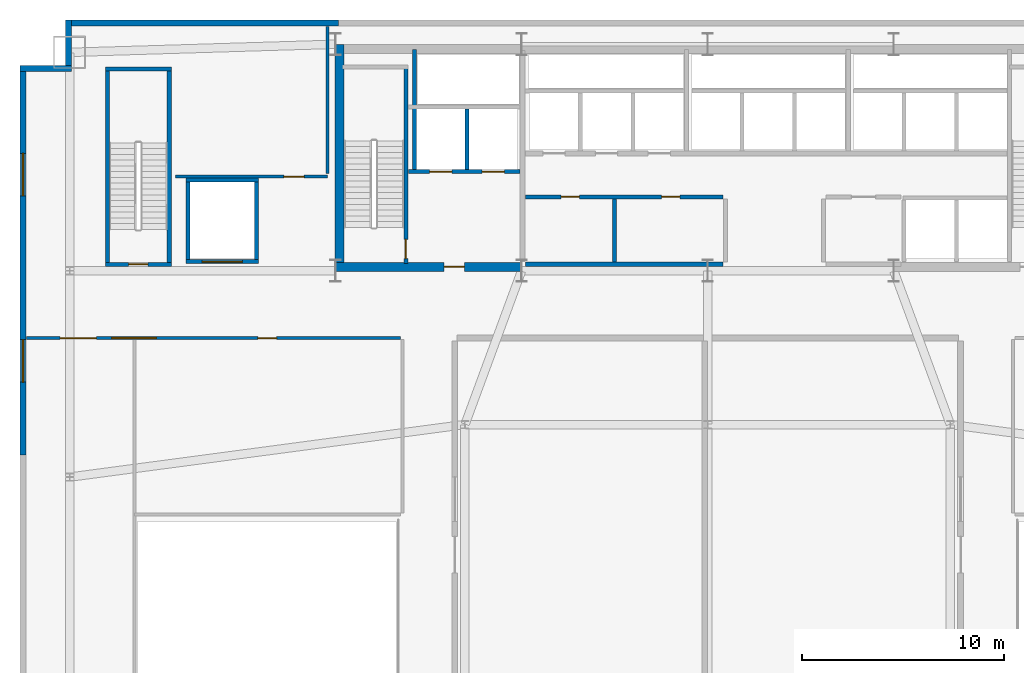
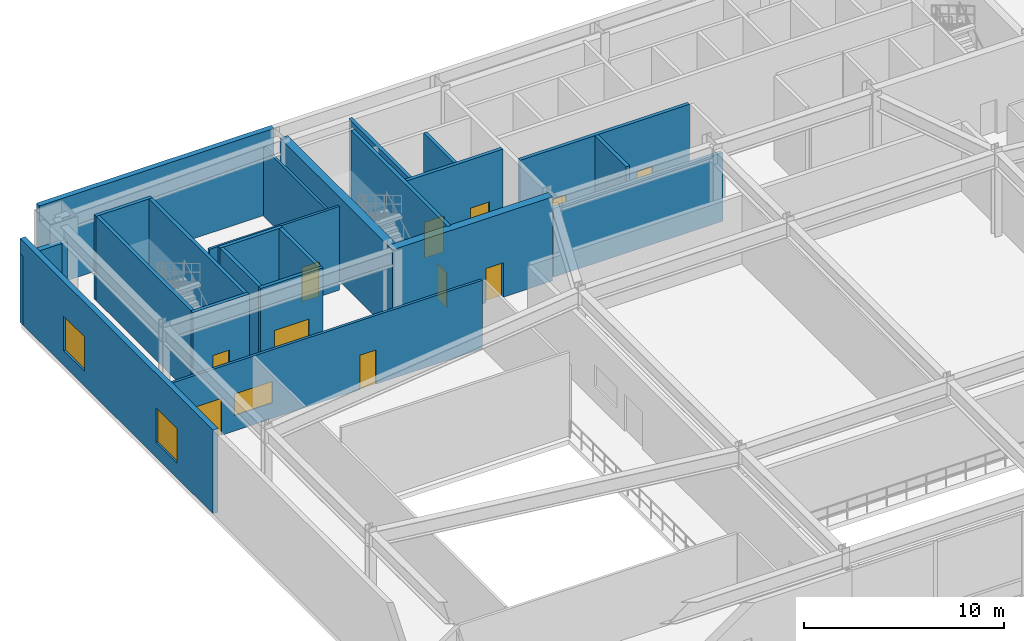
# One storey, part 9 of 13: 24 walls, 11 doors, 3 windows, 14 openings.
"""IFC4 building model written with IfcOpenShell, lengths in metres."""

from ifc_helpers import new_model, si_unit, direction, frame, frame_2d, origin, place, context, subcontext, project, spatial, rectangle, extrude, source, transform, mapped, material, layer, layer_set, type_object, type_shapes, element, fill, save


model = new_model("IFC4")

# Units and contexts
model_context = context("Model", 3, precision=1e-05, world=origin(), true_north=direction((0.0, 1.0)))
body_context = subcontext(model_context, "Body", "Model", "MODEL_VIEW")
ifc_project = project(units=[si_unit("LENGTHUNIT", "METRE"), si_unit("AREAUNIT", "SQUARE_METRE"), si_unit("VOLUMEUNIT", "CUBIC_METRE"), si_unit("PLANEANGLEUNIT", "RADIAN"), si_unit("MASSUNIT", "GRAM", prefix="KILO")], contexts=[model_context])

# Site, building, storey
site_placement = place(None, origin())
site = spatial("IfcSite", under=ifc_project, at=site_placement, CompositionType="ELEMENT")
building_placement = place(site_placement, origin())
building = spatial("IfcBuilding", under=site, at=building_placement, Name="Varnel Quay Broadcast Tower", CompositionType="ELEMENT")
storey_placement = place(building_placement, frame((0.0, 0.0, 6.0)))
storey = spatial("IfcBuildingStorey", under=building, at=storey_placement, Name="L01", CompositionType="ELEMENT", Elevation=6.0)

# Wall, opening, door
ifc_material_1 = material(Name="Concrete CSA A23.3 C50/60", Category="concrete")
ifc_layer_1 = layer(ifc_material_1, 0.199951171875, Name="Concrete CSA A23.3 C50/60")
ifc_layer_set_1 = layer_set([ifc_layer_1], Name="Concrete CSA A23.3 C50/60")
wall_type_1 = type_object("IfcWallType", Name="Wall_CoreShaftShear200", PredefinedType="SHEAR", material=ifc_layer_set_1)
wall_1_placement = place(storey_placement, frame((19.080078125, 35.949951171875, 0.0), z_axis=(0.0, 0.0, 1.0), x_axis=(0.0, 1.0, 0.0)))
wall_1 = element("IfcWall", 1, at=wall_1_placement, inside=storey, type_object=wall_type_1, Name="L01 Stair 1 East Structural Wall", PredefinedType="SHEAR", context=body_context, shape_type="SweptSolid", body=[
    extrude(rectangle(XDim=9.650146484375, YDim=0.199951171875, at=frame_2d((4.8251953125, 0.0))), origin(), (0.0, 0.0, 1.0), 5.1201171875),
])
opening_1_placement = place(wall_1_placement, frame((0.25, 0.0, 0.0)))
opening_1 = element("IfcOpeningElement", 2, at=opening_1_placement, cuts=wall_1, Name="Opening D-L01-S1", PredefinedType="OPENING", context=body_context, shape_type="SweptSolid", body=[
    extrude(rectangle(XDim=0.949951171875, YDim=2.10009765625, at=frame_2d((0.47509765625, 1.050048828125))), frame((0.0, 0.10986328125, 0.0), z_axis=(0.0, -1.0, 0.0), x_axis=(1.0, 0.0, 0.0)), (0.0, 0.0, 1.0), 0.219970703125),
])
ifc_material_2 = material(Name="Insulated Fire-Rated Hollow Steel Door", Category="steel")
door_type_1 = type_object("IfcDoorType", Name="Door_FireStair950", OperationType="NOTDEFINED", PredefinedType="DOOR", material=ifc_material_2)
shared_shape_1 = source(origin(), body_context, "Body", "SweptSolid", [
    extrude(rectangle(XDim=0.949951171875, YDim=2.10009765625, at=frame_2d((0.47509765625, 1.050048828125))), frame((0.0, 0.02490234375, 0.0), z_axis=(0.0, -1.0, 0.0), x_axis=(1.0, 0.0, 0.0)), (0.0, 0.0, 1.0), 0.050048828125),
])
type_shapes(door_type_1, [shared_shape_1])
door_1_placement = place(opening_1_placement, origin())
door_1 = element("IfcDoor", 3, at=door_1_placement, inside=storey, type_object=door_type_1, Name="L01 Stair 1 Fire Door", OperationType="SINGLE_SWING_RIGHT", OverallHeight=2.10009765625, OverallWidth=0.949951171875, PredefinedType="DOOR", context=body_context, shape_type="MappedRepresentation", body=[
    mapped(shared_shape_1, transform((0.0, 0.0, 0.0), x_axis=(1.0, 0.0, 0.0), y_axis=(0.0, 1.0, 0.0), z_axis=(0.0, 0.0, 1.0), scale=1.0)),
])
fill(opening_1, door_1)

# Wall, openings, doors
wall_2_placement = place(storey_placement, frame((19.199951171875, 40.5, 0.0), z_axis=(0.0, 0.0, 1.0), x_axis=(1.0, 0.0, 0.0)))
wall_2 = element("IfcWall", 4, at=wall_2_placement, inside=storey, type_object=wall_type_1, Name="L01 Firefighter Lift Shaft Front Wall", PredefinedType="SHEAR", context=body_context, shape_type="SweptSolid", body=[
    extrude(rectangle(XDim=5.52001953125, YDim=0.199951171875, at=frame_2d((2.760009765625, 0.0))), origin(), (0.0, 0.0, 1.0), 5.1201171875),
])
opening_2_placement = place(wall_2_placement, frame((1.050048828125, 0.0, 0.0)))
opening_2 = element("IfcOpeningElement", 5, at=opening_2_placement, cuts=wall_2, Name="Opening LD-L01-FE1", PredefinedType="OPENING", context=body_context, shape_type="SweptSolid", body=[
    extrude(rectangle(XDim=1.10009765625, YDim=2.179931640625, at=frame_2d((0.550048828125, 1.08984375))), frame((0.0, 0.10986328125, 0.0), z_axis=(0.0, -1.0, 0.0), x_axis=(1.0, 0.0, 0.0)), (0.0, 0.0, 1.0), 0.219970703125),
])
opening_3_placement = place(wall_2_placement, frame((3.64990234375, 0.0, 0.0)))
opening_3 = element("IfcOpeningElement", 6, at=opening_3_placement, cuts=wall_2, Name="Opening LD-L01-FE2", PredefinedType="OPENING", context=body_context, shape_type="SweptSolid", body=[
    extrude(rectangle(XDim=1.10009765625, YDim=2.179931640625, at=frame_2d((0.550048828125, 1.08984375))), frame((0.0, 0.10986328125, 0.0), z_axis=(0.0, -1.0, 0.0), x_axis=(1.0, 0.0, 0.0)), (0.0, 0.0, 1.0), 0.219970703125),
])
ifc_material_3 = material(Name="Brushed Bronze-Stainless Lift Car & Sliding Doors", Category="steel")
door_type_2 = type_object("IfcDoorType", Name="Door_LiftLanding1100", OperationType="SLIDING_TO_LEFT", PredefinedType="DOOR", material=ifc_material_3)
shared_shape_2 = source(origin(), body_context, "Body", "SweptSolid", [
    extrude(rectangle(XDim=1.10009765625, YDim=2.179931640625, at=frame_2d((0.550048828125, 1.08984375))), frame((0.0, 0.02490234375, 0.0), z_axis=(0.0, -1.0, 0.0), x_axis=(1.0, 0.0, 0.0)), (0.0, 0.0, 1.0), 0.050048828125),
])
type_shapes(door_type_2, [shared_shape_2])
door_2_placement = place(opening_2_placement, frame((1.10009765625, 0.0, 0.0), z_axis=(0.0, 0.0, 1.0), x_axis=(-1.0, 0.0, 0.0)))
door_2 = element("IfcDoor", 7, at=door_2_placement, inside=storey, type_object=door_type_2, Name="L01 Firefighter Lift FE-01 Landing Door", OperationType="SLIDING_TO_LEFT", OverallHeight=2.179931640625, OverallWidth=1.10009765625, PredefinedType="DOOR", context=body_context, shape_type="MappedRepresentation", body=[
    mapped(shared_shape_2, transform((0.0, 0.0, 0.0), x_axis=(1.0, 0.0, 0.0), y_axis=(0.0, 1.0, 0.0), z_axis=(0.0, 0.0, 1.0), scale=1.0)),
])
fill(opening_2, door_2)
door_3_placement = place(opening_3_placement, frame((1.10009765625, 0.0, 0.0), z_axis=(0.0, 0.0, 1.0), x_axis=(-1.0, 0.0, 0.0)))
door_3 = element("IfcDoor", 8, at=door_3_placement, inside=storey, type_object=door_type_2, Name="L01 Firefighter Lift FE-02 Landing Door", OperationType="SLIDING_TO_RIGHT", OverallHeight=2.179931640625, OverallWidth=1.10009765625, PredefinedType="DOOR", context=body_context, shape_type="MappedRepresentation", body=[
    mapped(shared_shape_2, transform((0.0, 0.0, 0.0), x_axis=(1.0, 0.0, 0.0), y_axis=(0.0, 1.0, 0.0), z_axis=(0.0, 0.0, 1.0), scale=1.0)),
])
fill(opening_3, door_3)

# Walls
wall_3_placement = place(storey_placement, frame((22.10009765625, 40.60009765625, 0.0), z_axis=(0.0, 0.0, 1.0), x_axis=(0.0, 1.0, 0.0)))
element("IfcWall", 9, at=wall_3_placement, inside=storey, type_object=wall_type_1, Name="L01 Firefighter Lift Shaft Divider", PredefinedType="SHEAR", context=body_context, shape_type="SweptSolid", body=[
    extrude(rectangle(XDim=3.0, YDim=0.199951171875, at=frame_2d((1.5, 0.0))), origin(), (0.0, 0.0, 1.0), 5.1201171875),
])
wall_4_placement = place(storey_placement, frame((19.5, 40.60009765625, 0.0), z_axis=(0.0, 0.0, 1.0), x_axis=(0.0, 1.0, 0.0)))
element("IfcWall", 10, at=wall_4_placement, inside=storey, type_object=wall_type_1, Name="L01 Firefighter Lift Shaft West Wall", PredefinedType="SHEAR", context=body_context, shape_type="SweptSolid", body=[
    extrude(rectangle(XDim=5.949951171875, YDim=0.199951171875, at=frame_2d((2.97509765625, 0.0))), origin(), (0.0, 0.0, 1.0), 5.1201171875),
])
for number, where, z_axis, x_axis, name in (
    (11, (4.320068359375, 36.0, 0.0), (0.0, 0.0, 1.0), (0.0, 1.0, 0.0), "L01 Podium Stair 3 W Structural Wall"),
    (12, (7.3798828125, 36.0, 0.0), (0.0, 0.0, 1.0), (0.0, 1.0, 0.0), "L01 Podium Stair 3 E Structural Wall"),
):
    element("IfcWall", number, at=place(storey_placement, frame(where, z_axis=z_axis, x_axis=x_axis)), inside=storey, type_object=wall_type_1, Name=name, PredefinedType="SHEAR", context=body_context, shape_type="SweptSolid", body=[
        extrude(rectangle(XDim=9.60009765625, YDim=0.199951171875, at=frame_2d((4.800048828125, 0.0))), origin(), (0.0, 0.0, 1.0), 5.1201171875),
    ])
wall_5_placement = place(storey_placement, frame((4.219970703125, 45.580078125, 0.0), z_axis=(0.0, 0.0, 1.0), x_axis=(1.0, 0.0, 0.0)))
element("IfcWall", 13, at=wall_5_placement, inside=storey, type_object=wall_type_1, Name="L01 Podium Stair 3 N Structural Wall", PredefinedType="SHEAR", context=body_context, shape_type="SweptSolid", body=[
    extrude(rectangle(XDim=3.260009765625, YDim=0.199951171875, at=frame_2d((1.6298828125, 0.0))), origin(), (0.0, 0.0, 1.0), 5.1201171875),
])

# Wall, opening, door
wall_6_placement = place(storey_placement, frame((4.219970703125, 35.919921875, 0.0), z_axis=(0.0, 0.0, 1.0), x_axis=(1.0, 0.0, 0.0)))
wall_6 = element("IfcWall", 14, at=wall_6_placement, inside=storey, type_object=wall_type_1, Name="L01 Podium Stair 3 South Structural Wall", PredefinedType="SHEAR", context=body_context, shape_type="SweptSolid", body=[
    extrude(rectangle(XDim=3.260009765625, YDim=0.199951171875, at=frame_2d((1.6298828125, 0.0))), origin(), (0.0, 0.0, 1.0), 5.1201171875),
])
opening_4_placement = place(wall_6_placement, frame((1.14990234375, 0.0, 0.0)))
opening_4 = element("IfcOpeningElement", 15, at=opening_4_placement, cuts=wall_6, Name="Opening D-L01-S3", PredefinedType="OPENING", context=body_context, shape_type="SweptSolid", body=[
    extrude(rectangle(XDim=0.949951171875, YDim=2.10009765625, at=frame_2d((0.47509765625, 1.050048828125))), frame((0.0, 0.10986328125, 0.0), z_axis=(0.0, -1.0, 0.0), x_axis=(1.0, 0.0, 0.0)), (0.0, 0.0, 1.0), 0.219970703125),
])
door_4_placement = place(opening_4_placement, origin())
door_4 = element("IfcDoor", 16, at=door_4_placement, inside=storey, type_object=door_type_1, Name="L01 Podium Stair 3 Fire Door", OperationType="SINGLE_SWING_LEFT", OverallHeight=2.10009765625, OverallWidth=0.949951171875, PredefinedType="DOOR", context=body_context, shape_type="MappedRepresentation", body=[
    mapped(shared_shape_1, transform((0.0, 0.0, 0.0), x_axis=(1.0, 0.0, 0.0), y_axis=(0.0, 1.0, 0.0), z_axis=(0.0, 0.0, 1.0), scale=1.0)),
])
fill(opening_4, door_4)

# Walls
for number, where, z_axis, x_axis, name in (
    (17, (8.300048828125, 36.14990234375, 0.0), (0.0, 0.0, 1.0), (0.0, 1.0, 0.0), "L01 Freight Lift Shaft W Wall"),
    (18, (11.699951171875, 36.14990234375, 0.0), (0.0, 0.0, 1.0), (0.0, 1.0, 0.0), "L01 Freight Lift Shaft E Wall"),
):
    element("IfcWall", number, at=place(storey_placement, frame(where, z_axis=z_axis, x_axis=x_axis)), inside=storey, type_object=wall_type_1, Name=name, PredefinedType="SHEAR", context=body_context, shape_type="SweptSolid", body=[
        extrude(rectangle(XDim=3.85009765625, YDim=0.199951171875, at=frame_2d((1.925048828125, 0.0))), origin(), (0.0, 0.0, 1.0), 5.1201171875),
    ])
wall_7_placement = place(storey_placement, frame((8.199951171875, 40.10009765625, 0.0), z_axis=(0.0, 0.0, 1.0), x_axis=(1.0, 0.0, 0.0)))
element("IfcWall", 19, at=wall_7_placement, inside=storey, type_object=wall_type_1, Name="L01 Freight Lift Shaft N Wall", PredefinedType="SHEAR", context=body_context, shape_type="SweptSolid", body=[
    extrude(rectangle(XDim=3.60009765625, YDim=0.199951171875, at=frame_2d((1.800048828125, 0.0))), origin(), (0.0, 0.0, 1.0), 5.1201171875),
])

# Wall, opening, door
wall_8_placement = place(storey_placement, frame((8.199951171875, 36.050048828125, 0.0), z_axis=(0.0, 0.0, 1.0), x_axis=(1.0, 0.0, 0.0)))
wall_8 = element("IfcWall", 20, at=wall_8_placement, inside=storey, type_object=wall_type_1, Name="L01 Studio Freight Lift Front Wall", PredefinedType="SHEAR", context=body_context, shape_type="SweptSolid", body=[
    extrude(rectangle(XDim=3.60009765625, YDim=0.199951171875, at=frame_2d((1.800048828125, 0.0))), origin(), (0.0, 0.0, 1.0), 5.1201171875),
])
opening_5_placement = place(wall_8_placement, frame((0.800048828125, 0.0, 0.0)))
opening_5 = element("IfcOpeningElement", 21, at=opening_5_placement, cuts=wall_8, Name="Opening LD-L01-BF1", PredefinedType="OPENING", context=body_context, shape_type="SweptSolid", body=[
    extrude(rectangle(XDim=2.0, YDim=2.280029296875, at=frame_2d((1.0, 1.14013671875))), frame((0.0, 0.10986328125, 0.0), z_axis=(0.0, -1.0, 0.0), x_axis=(1.0, 0.0, 0.0)), (0.0, 0.0, 1.0), 0.219970703125),
])
door_type_3 = type_object("IfcDoorType", Name="Door_FreightLanding2000", OperationType="DOUBLE_DOOR_SLIDING", PredefinedType="DOOR", material=ifc_material_3)
shared_shape_3 = source(origin(), body_context, "Body", "SweptSolid", [
    extrude(rectangle(XDim=2.0, YDim=2.280029296875, at=frame_2d((1.0, 1.14013671875))), frame((0.0, 0.02490234375, 0.0), z_axis=(0.0, -1.0, 0.0), x_axis=(1.0, 0.0, 0.0)), (0.0, 0.0, 1.0), 0.050048828125),
])
type_shapes(door_type_3, [shared_shape_3])
door_5_placement = place(opening_5_placement, frame((2.0, 0.0, 0.0), z_axis=(0.0, 0.0, 1.0), x_axis=(-1.0, 0.0, 0.0)))
door_5 = element("IfcDoor", 22, at=door_5_placement, inside=storey, type_object=door_type_3, Name="L01 Freight Lift BF-01 Landing Door", OperationType="DOUBLE_DOOR_SLIDING", OverallHeight=2.280029296875, OverallWidth=2.0, PredefinedType="DOOR", context=body_context, shape_type="MappedRepresentation", body=[
    mapped(shared_shape_3, transform((0.0, 0.0, 0.0), x_axis=(1.0, 0.0, 0.0), y_axis=(0.0, 1.0, 0.0), z_axis=(0.0, 0.0, 1.0), scale=1.0)),
])
fill(opening_5, door_5)

# Wall
ifc_material_4 = material(Name="Concrete CSA A23.3 C60/75", Category="concrete")
ifc_layer_2 = layer(ifc_material_4, 0.449951171875, Name="Concrete CSA A23.3 C60/75")
ifc_layer_set_2 = layer_set([ifc_layer_2], Name="Concrete CSA A23.3 C60/75")
wall_type_2 = type_object("IfcWallType", Name="Wall_CoreShearInt450", PredefinedType="SHEAR", material=ifc_layer_set_2)
wall_9_placement = place(storey_placement, frame((15.794921875, 35.570068359375, 0.0), z_axis=(0.0, 0.0, 1.0), x_axis=(0.0, 1.0, 0.0)))
element("IfcWall", 23, at=wall_9_placement, inside=storey, type_object=wall_type_2, Name="L01 West Core Shear Wall", PredefinedType="SHEAR", context=body_context, shape_type="SweptSolid", body=[
    extrude(rectangle(XDim=11.22998046875, YDim=0.449951171875, at=frame_2d((5.614990234375, 0.0))), origin(), (0.0, 0.0, 1.0), 5.1201171875),
])

# Wall, opening, door
wall_10_placement = place(storey_placement, frame((15.570068359375, 35.794921875, 0.0), z_axis=(0.0, 0.0, 1.0), x_axis=(1.0, 0.0, 0.0)))
wall_10 = element("IfcWall", 24, at=wall_10_placement, inside=storey, type_object=wall_type_2, Name="L01 South-West Core Shear Wall", PredefinedType="SHEAR", context=body_context, shape_type="SweptSolid", body=[
    extrude(rectangle(XDim=9.22998046875, YDim=0.449951171875, at=frame_2d((4.614990234375, 0.0))), origin(), (0.0, 0.0, 1.0), 5.1201171875),
])
opening_6_placement = place(wall_10_placement, frame((5.39990234375, 0.0, 0.0)))
opening_6 = element("IfcOpeningElement", 25, at=opening_6_placement, cuts=wall_10, Name="Opening D-L01-FFL", PredefinedType="OPENING", context=body_context, shape_type="SweptSolid", body=[
    extrude(rectangle(XDim=1.0, YDim=2.10009765625, at=frame_2d((0.5, 1.050048828125))), frame((0.0, 0.23486328125, 0.0), z_axis=(0.0, -1.0, 0.0), x_axis=(1.0, 0.0, 0.0)), (0.0, 0.0, 1.0), 0.469970703125),
])
door_type_4 = type_object("IfcDoorType", Name="Door_FireLobby1000", OperationType="NOTDEFINED", PredefinedType="DOOR", material=ifc_material_2)
shared_shape_4 = source(origin(), body_context, "Body", "SweptSolid", [
    extrude(rectangle(XDim=1.0, YDim=2.10009765625, at=frame_2d((0.5, 1.050048828125))), frame((0.0, 0.02490234375, 0.0), z_axis=(0.0, -1.0, 0.0), x_axis=(1.0, 0.0, 0.0)), (0.0, 0.0, 1.0), 0.050048828125),
])
type_shapes(door_type_4, [shared_shape_4])
door_6_placement = place(opening_6_placement, origin())
door_6 = element("IfcDoor", 26, at=door_6_placement, inside=storey, type_object=door_type_4, Name="L01 Firefighting Lobby Door", OperationType="SINGLE_SWING_LEFT", OverallHeight=2.10009765625, OverallWidth=1.0, PredefinedType="DOOR", context=body_context, shape_type="MappedRepresentation", body=[
    mapped(shared_shape_4, transform((0.0, 0.0, 0.0), x_axis=(1.0, 0.0, 0.0), y_axis=(0.0, 1.0, 0.0), z_axis=(0.0, 0.0, 1.0), scale=1.0)),
])
fill(opening_6, door_6)

# Wall
ifc_material_5 = material(Name="Precast Architectural Concrete C40/50", Category="concrete")
ifc_layer_3 = layer(ifc_material_5, 0.300048828125, Name="Precast Architectural Concrete C40/50")
ifc_layer_set_3 = layer_set([ifc_layer_3], Name="Precast Architectural Concrete C40/50")
wall_type_3 = type_object("IfcWallType", Name="Wall_ExtPodium300", PredefinedType="SOLIDWALL", material=ifc_layer_set_3)
wall_11_placement = place(storey_placement, frame((2.25, 47.85009765625, 0.0), z_axis=(0.0, 0.0, 1.0), x_axis=(1.0, 0.0, 0.0)))
element("IfcWall", 27, at=wall_11_placement, inside=storey, type_object=wall_type_3, Name="L01 North Podium Exterior Wall NW", PredefinedType="SOLIDWALL", context=body_context, shape_type="SweptSolid", body=[
    extrude(rectangle(XDim=13.5, YDim=0.300048828125, at=frame_2d((6.75, 0.0))), origin(), (0.0, 0.0, 1.0), 5.10009765625),
])

# Wall, openings, windows
wall_12_placement = place(storey_placement, frame((0.14990234375, 26.5, 0.0), z_axis=(0.0, 0.0, 1.0), x_axis=(0.0, 1.0, 0.0)))
wall_12 = element("IfcWall", 28, at=wall_12_placement, inside=storey, type_object=wall_type_3, Name="L01 Podium Acoustic Exterior Wall W2", PredefinedType="SOLIDWALL", context=body_context, shape_type="SweptSolid", body=[
    extrude(rectangle(XDim=19.25, YDim=0.300048828125, at=frame_2d((9.625, 0.0))), origin(), (0.0, 0.0, 1.0), 5.10009765625),
])
opening_7_placement = place(wall_12_placement, frame((3.60009765625, 0.0, 0.89990234375)))
opening_7 = element("IfcOpeningElement", 29, at=opening_7_placement, cuts=wall_12, Name="Opening W-03", PredefinedType="OPENING", context=body_context, shape_type="SweptSolid", body=[
    extrude(rectangle(XDim=2.10009765625, YDim=2.10009765625, at=frame_2d((1.050048828125, 1.050048828125))), frame((0.0, 0.16015625, 0.0), z_axis=(0.0, -1.0, 0.0), x_axis=(1.0, 0.0, 0.0)), (0.0, 0.0, 1.0), 0.320068359375),
])
opening_8_placement = place(wall_12_placement, frame((12.800048828125, 0.0, 0.89990234375)))
opening_8 = element("IfcOpeningElement", 30, at=opening_8_placement, cuts=wall_12, Name="Opening W-03", PredefinedType="OPENING", context=body_context, shape_type="SweptSolid", body=[
    extrude(rectangle(XDim=2.10009765625, YDim=2.10009765625, at=frame_2d((1.050048828125, 1.050048828125))), frame((0.0, 0.16015625, 0.0), z_axis=(0.0, -1.0, 0.0), x_axis=(1.0, 0.0, 0.0)), (0.0, 0.0, 1.0), 0.320068359375),
])
ifc_material_6 = material(Name="Triple-Glazed Bronze Low-E Architectural Glass", Category="glass")
window_type_1 = type_object("IfcWindowType", Name="Win_PodiumGallery2100", PartitioningType="DOUBLE_PANEL_VERTICAL", PredefinedType="WINDOW", material=ifc_material_6)
shared_shape_5 = source(origin(), body_context, "Body", "SweptSolid", [
    extrude(rectangle(XDim=2.10009765625, YDim=2.10009765625, at=frame_2d((1.050048828125, 1.050048828125))), frame((0.0, 0.030029296875, 0.0), z_axis=(0.0, -1.0, 0.0), x_axis=(1.0, 0.0, 0.0)), (0.0, 0.0, 1.0), 0.06005859375),
])
type_shapes(window_type_1, [shared_shape_5])
window_1_placement = place(opening_7_placement, origin())
window_1 = element("IfcWindow", 31, at=window_1_placement, inside=storey, type_object=window_type_1, Name="L01 Podium Window W2-1", OverallHeight=2.10009765625, OverallWidth=2.10009765625, PartitioningType="DOUBLE_PANEL_VERTICAL", PredefinedType="WINDOW", context=body_context, shape_type="MappedRepresentation", body=[
    mapped(shared_shape_5, transform((0.0, 0.0, 0.0), x_axis=(1.0, 0.0, 0.0), y_axis=(0.0, 1.0, 0.0), z_axis=(0.0, 0.0, 1.0), scale=1.0)),
])
fill(opening_7, window_1)
window_2_placement = place(opening_8_placement, origin())
window_2 = element("IfcWindow", 32, at=window_2_placement, inside=storey, type_object=window_type_1, Name="L01 Podium Window W2-2", OverallHeight=2.10009765625, OverallWidth=2.10009765625, PartitioningType="DOUBLE_PANEL_VERTICAL", PredefinedType="WINDOW", context=body_context, shape_type="MappedRepresentation", body=[
    mapped(shared_shape_5, transform((0.0, 0.0, 0.0), x_axis=(1.0, 0.0, 0.0), y_axis=(0.0, 1.0, 0.0), z_axis=(0.0, 0.0, 1.0), scale=1.0)),
])
fill(opening_8, window_2)

# Walls
for number, where, z_axis, x_axis, name in (
    (33, (0.0, 45.60009765625, 0.0), (0.0, 0.0, 1.0), (1.0, 0.0, 0.0), "L01 Podium Acoustic Exterior Wall NNW1"),
    (34, (2.39990234375, 45.449951171875, 0.0), (0.0, 0.0, 1.0), (0.0, 1.0, 0.0), "L01 Podium Acoustic Exterior Wall NNW2"),
):
    element("IfcWall", number, at=place(storey_placement, frame(where, z_axis=z_axis, x_axis=x_axis)), inside=storey, type_object=wall_type_3, Name=name, PredefinedType="SOLIDWALL", context=body_context, shape_type="SweptSolid", body=[
        extrude(rectangle(XDim=2.550048828125, YDim=0.300048828125, at=frame_2d((1.27490234375, 0.0))), origin(), (0.0, 0.0, 1.0), 4.18310546875),
    ])

# Wall, opening, door
ifc_material_7 = material(Name="Steel-Stud Fire-Rated Acoustic Gypsum Partition Assembly", Category="steel")
ifc_layer_4 = layer(ifc_material_7, 0.139892578125, Name="Steel-Stud Fire-Rated Acoustic Gypsum Partition Assembly")
ifc_layer_set_4 = layer_set([ifc_layer_4], Name="Steel-Stud Fire-Rated Acoustic Gypsum Partition Assembly")
wall_type_4 = type_object("IfcWallType", Name="Wall_Partition140", PredefinedType="PARTITIONING", material=ifc_layer_set_4)
wall_13_placement = place(storey_placement, frame((7.699951171875, 40.260009765625, 0.0), z_axis=(0.0, 0.0, 1.0), x_axis=(1.0, 0.0, 0.0)))
wall_13 = element("IfcWall", 35, at=wall_13_placement, inside=storey, type_object=wall_type_4, Name="L01 Talent Dressing & Green Lounge Partition 27", PredefinedType="PARTITIONING", context=body_context, shape_type="SweptSolid", body=[
    extrude(rectangle(XDim=7.5, YDim=0.139892578125, at=frame_2d((3.75, 0.0))), origin(), (0.0, 0.0, 1.0), 5.10009765625),
])
opening_9_placement = place(wall_13_placement, frame((5.35009765625, 0.0, 0.0)))
opening_9 = element("IfcOpeningElement", 36, at=opening_9_placement, cuts=wall_13, Name="Opening D-L01-14", PredefinedType="OPENING", context=body_context, shape_type="SweptSolid", body=[
    extrude(rectangle(XDim=1.0, YDim=2.10009765625, at=frame_2d((0.5, 1.050048828125))), frame((0.0, 0.080078125, 0.0), z_axis=(0.0, -1.0, 0.0), x_axis=(1.0, 0.0, 0.0)), (0.0, 0.0, 1.0), 0.159912109375),
])
ifc_material_8 = material(Name="Solid-Core Fire-Rated Acoustic Oak Veneer Door", Category="wood")
door_type_5 = type_object("IfcDoorType", Name="Door_Exec1000", OperationType="NOTDEFINED", PredefinedType="DOOR", material=ifc_material_8)
shared_shape_6 = source(origin(), body_context, "Body", "SweptSolid", [
    extrude(rectangle(XDim=1.0, YDim=2.10009765625, at=frame_2d((0.5, 1.050048828125))), frame((0.0, 0.02490234375, 0.0), z_axis=(0.0, -1.0, 0.0), x_axis=(1.0, 0.0, 0.0)), (0.0, 0.0, 1.0), 0.050048828125),
])
type_shapes(door_type_5, [shared_shape_6])
door_7_placement = place(opening_9_placement, origin())
door_7 = element("IfcDoor", 37, at=door_7_placement, inside=storey, type_object=door_type_5, Name="L01 Talent Dressing & Green Lounge Door D-L01-14", OperationType="SINGLE_SWING_LEFT", OverallHeight=2.10009765625, OverallWidth=1.0, PredefinedType="DOOR", context=body_context, shape_type="MappedRepresentation", body=[
    mapped(shared_shape_6, transform((0.0, 0.0, 0.0), x_axis=(1.0, 0.0, 0.0), y_axis=(0.0, 1.0, 0.0), z_axis=(0.0, 0.0, 1.0), scale=1.0)),
])
fill(opening_9, door_7)

# Wall
wall_14_placement = place(storey_placement, frame((15.199951171875, 40.419921875, 0.0), z_axis=(0.0, 0.0, 1.0), x_axis=(0.0, 1.0, 0.0)))
element("IfcWall", 38, at=wall_14_placement, inside=storey, type_object=wall_type_4, Name="L01 Talent Dressing & Green Lounge Partition 28", PredefinedType="PARTITIONING", context=body_context, shape_type="SweptSolid", body=[
    extrude(rectangle(XDim=7.27001953125, YDim=0.139892578125, at=frame_2d((3.635009765625, 0.0))), origin(), (0.0, 0.0, 1.0), 4.18310546875),
])

# Wall, openings, doors, window
ifc_layer_5 = layer(ifc_material_7, 0.14990234375, Name="Steel-Stud Fire-Rated Acoustic Gypsum Partition Assembly")
ifc_layer_set_5 = layer_set([ifc_layer_5], Name="Steel-Stud Fire-Rated Acoustic Gypsum Partition Assembly")
wall_type_5 = type_object("IfcWallType", Name="Wall_Partition150", PredefinedType="PARTITIONING", material=ifc_layer_set_5)
wall_15_placement = place(storey_placement, frame((0.31005859375, 32.27490234375, 0.0), z_axis=(0.0, 0.0, 1.0), x_axis=(1.0, 0.0, 0.0)))
wall_15 = element("IfcWall", 39, at=wall_15_placement, inside=storey, type_object=wall_type_5, Name="L01 North-West Stage Gallery Office Partition 21", PredefinedType="PARTITIONING", context=body_context, shape_type="SweptSolid", body=[
    extrude(rectangle(XDim=18.489990234375, YDim=0.14990234375, at=frame_2d((9.2451171875, 0.0))), origin(), (0.0, 0.0, 1.0), 4.18310546875),
])
opening_10_placement = place(wall_15_placement, frame((11.455078125, 0.0, 0.0)))
opening_10 = element("IfcOpeningElement", 40, at=opening_10_placement, cuts=wall_15, Name="Opening D-L01-10", PredefinedType="OPENING", context=body_context, shape_type="SweptSolid", body=[
    extrude(rectangle(XDim=0.919921875, YDim=2.080078125, at=frame_2d((0.4599609375, 1.0400390625))), frame((0.0, 0.0849609375, 0.0), z_axis=(0.0, -1.0, 0.0), x_axis=(1.0, 0.0, 0.0)), (0.0, 0.0, 1.0), 0.169921875),
])
opening_11_placement = place(wall_15_placement, frame((1.669921875, 0.0, 0.0)))
opening_11 = element("IfcOpeningElement", 41, at=opening_11_placement, cuts=wall_15, Name="Opening D-L01-12", PredefinedType="OPENING", context=body_context, shape_type="SweptSolid", body=[
    extrude(rectangle(XDim=1.800048828125, YDim=2.25, at=frame_2d((0.89990234375, 1.125))), frame((0.0, 0.0849609375, 0.0), z_axis=(0.0, -1.0, 0.0), x_axis=(1.0, 0.0, 0.0)), (0.0, 0.0, 1.0), 0.169921875),
])
opening_12_placement = place(wall_15_placement, frame((4.219970703125, 0.0, 0.949951171875)))
opening_12 = element("IfcOpeningElement", 42, at=opening_12_placement, cuts=wall_15, Name="Opening W-INT01", PredefinedType="OPENING", context=body_context, shape_type="SweptSolid", body=[
    extrude(rectangle(XDim=2.199951171875, YDim=1.300048828125, at=frame_2d((1.10009765625, 0.64990234375))), frame((0.0, 0.0849609375, 0.0), z_axis=(0.0, -1.0, 0.0), x_axis=(1.0, 0.0, 0.0)), (0.0, 0.0, 1.0), 0.169921875),
])
door_type_6 = type_object("IfcDoorType", Name="Door_Office920", OperationType="NOTDEFINED", PredefinedType="DOOR", material=ifc_material_8)
shared_shape_7 = source(origin(), body_context, "Body", "SweptSolid", [
    extrude(rectangle(XDim=0.919921875, YDim=2.080078125, at=frame_2d((0.4599609375, 1.0400390625))), frame((0.0, 0.02490234375, 0.0), z_axis=(0.0, -1.0, 0.0), x_axis=(1.0, 0.0, 0.0)), (0.0, 0.0, 1.0), 0.050048828125),
])
type_shapes(door_type_6, [shared_shape_7])
door_8_placement = place(opening_10_placement, frame((0.919921875, 0.0, 0.0), z_axis=(0.0, 0.0, 1.0), x_axis=(-1.0, 0.0, 0.0)))
door_8 = element("IfcDoor", 43, at=door_8_placement, inside=storey, type_object=door_type_6, Name="L01 North-West Stage Gallery Office Door D-L01-10", OperationType="SINGLE_SWING_LEFT", OverallHeight=2.080078125, OverallWidth=0.919921875, PredefinedType="DOOR", context=body_context, shape_type="MappedRepresentation", body=[
    mapped(shared_shape_7, transform((0.0, 0.0, 0.0), x_axis=(1.0, 0.0, 0.0), y_axis=(0.0, 1.0, 0.0), z_axis=(0.0, 0.0, 1.0), scale=1.0)),
])
fill(opening_10, door_8)
door_type_7 = type_object("IfcDoorType", Name="Door_StudioSound1800", OperationType="DOUBLE_DOOR_SINGLE_SWING", PredefinedType="DOOR", material=ifc_material_2)
shared_shape_8 = source(origin(), body_context, "Body", "SweptSolid", [
    extrude(rectangle(XDim=1.800048828125, YDim=2.25, at=frame_2d((0.89990234375, 1.125))), frame((0.0, 0.02490234375, 0.0), z_axis=(0.0, -1.0, 0.0), x_axis=(1.0, 0.0, 0.0)), (0.0, 0.0, 1.0), 0.050048828125),
])
type_shapes(door_type_7, [shared_shape_8])
door_9_placement = place(opening_11_placement, frame((1.800048828125, 0.0, 0.0), z_axis=(0.0, 0.0, 1.0), x_axis=(-1.0, 0.0, 0.0)))
door_9 = element("IfcDoor", 44, at=door_9_placement, inside=storey, type_object=door_type_7, Name="L01 West Studio Dimmer Office Door D-L01-12", OperationType="DOUBLE_DOOR_SINGLE_SWING", OverallHeight=2.25, OverallWidth=1.800048828125, PredefinedType="DOOR", context=body_context, shape_type="MappedRepresentation", body=[
    mapped(shared_shape_8, transform((0.0, 0.0, 0.0), x_axis=(1.0, 0.0, 0.0), y_axis=(0.0, 1.0, 0.0), z_axis=(0.0, 0.0, 1.0), scale=1.0)),
])
fill(opening_11, door_9)
ifc_material_9 = material(Name="Acoustic Laminated Control Glass", Category="glass")
window_type_2 = type_object("IfcWindowType", Name="Win_IntControlGallery", PartitioningType="SINGLE_PANEL", PredefinedType="WINDOW", material=ifc_material_9)
shared_shape_9 = source(origin(), body_context, "Body", "SweptSolid", [
    extrude(rectangle(XDim=2.199951171875, YDim=1.300048828125, at=frame_2d((1.10009765625, 0.64990234375))), frame((0.0, 0.030029296875, 0.0), z_axis=(0.0, -1.0, 0.0), x_axis=(1.0, 0.0, 0.0)), (0.0, 0.0, 1.0), 0.06005859375),
])
type_shapes(window_type_2, [shared_shape_9])
window_3_placement = place(opening_12_placement, origin())
window_3 = element("IfcWindow", 45, at=window_3_placement, inside=storey, type_object=window_type_2, Name="L01 Studio Control Observation Window 12", OverallHeight=1.300048828125, OverallWidth=2.199951171875, PartitioningType="SINGLE_PANEL", PredefinedType="WINDOW", context=body_context, shape_type="MappedRepresentation", body=[
    mapped(shared_shape_9, transform((0.0, 0.0, 0.0), x_axis=(1.0, 0.0, 0.0), y_axis=(0.0, 1.0, 0.0), z_axis=(0.0, 0.0, 1.0), scale=1.0)),
])
fill(opening_12, window_3)

# Walls
ifc_material_10 = material(Name="Fire-Rated Moisture-Resistant Plumbing Chase Partition")
ifc_layer_6 = layer(ifc_material_10, 0.199951171875, Name="Fire-Rated Moisture-Resistant Plumbing Chase Partition")
ifc_layer_set_6 = layer_set([ifc_layer_6], Name="Fire-Rated Moisture-Resistant Plumbing Chase Partition")
wall_type_6 = type_object("IfcWallType", Name="Wall_Plumbing200", PredefinedType="PLUMBINGWALL", material=ifc_layer_set_6)
wall_16_placement = place(storey_placement, frame((25.0, 35.925048828125, 0.0), z_axis=(0.0, 0.0, 1.0), x_axis=(1.0, 0.0, 0.0)))
element("IfcWall", 46, at=wall_16_placement, inside=storey, type_object=wall_type_6, Name="L01 Accessible Washroom Partition 1", PredefinedType="PLUMBINGWALL", context=body_context, shape_type="SweptSolid", body=[
    extrude(rectangle(XDim=9.75, YDim=0.199951171875, at=frame_2d((4.875, 0.0))), origin(), (0.0, 0.0, 1.0), 4.18310546875),
])
wall_17_placement = place(storey_placement, frame((29.39990234375, 36.02490234375, 0.0), z_axis=(0.0, 0.0, 1.0), x_axis=(0.0, 1.0, 0.0)))
element("IfcWall", 47, at=wall_17_placement, inside=storey, type_object=wall_type_6, Name="L01 Accessible Washroom Partition 2", PredefinedType="PLUMBINGWALL", context=body_context, shape_type="SweptSolid", body=[
    extrude(rectangle(XDim=3.125, YDim=0.199951171875, at=frame_2d((1.5625, 0.0))), origin(), (0.0, 0.0, 1.0), 5.10009765625),
])

# Wall, openings, doors
wall_18_placement = place(storey_placement, frame((25.0, 39.25, 0.0), z_axis=(0.0, 0.0, 1.0), x_axis=(1.0, 0.0, 0.0)))
wall_18 = element("IfcWall", 48, at=wall_18_placement, inside=storey, type_object=wall_type_6, Name="L01 Accessible Washroom Partition 3", PredefinedType="PLUMBINGWALL", context=body_context, shape_type="SweptSolid", body=[
    extrude(rectangle(XDim=9.75, YDim=0.199951171875, at=frame_2d((4.875, 0.0))), origin(), (0.0, 0.0, 1.0), 5.10009765625),
])
opening_13_placement = place(wall_18_placement, frame((1.75, 0.0, 0.0)))
opening_13 = element("IfcOpeningElement", 49, at=opening_13_placement, cuts=wall_18, Name="Opening D-L01-01", PredefinedType="OPENING", context=body_context, shape_type="SweptSolid", body=[
    extrude(rectangle(XDim=0.89990234375, YDim=2.06005859375, at=frame_2d((0.449951171875, 1.030029296875))), frame((0.0, 0.10986328125, 0.0), z_axis=(0.0, -1.0, 0.0), x_axis=(1.0, 0.0, 0.0)), (0.0, 0.0, 1.0), 0.219970703125),
])
opening_14_placement = place(wall_18_placement, frame((6.72509765625, 0.0, 0.0)))
opening_14 = element("IfcOpeningElement", 50, at=opening_14_placement, cuts=wall_18, Name="Opening D-L01-02", PredefinedType="OPENING", context=body_context, shape_type="SweptSolid", body=[
    extrude(rectangle(XDim=0.89990234375, YDim=2.06005859375, at=frame_2d((0.449951171875, 1.030029296875))), frame((0.0, 0.10986328125, 0.0), z_axis=(0.0, -1.0, 0.0), x_axis=(1.0, 0.0, 0.0)), (0.0, 0.0, 1.0), 0.219970703125),
])
door_type_8 = type_object("IfcDoorType", Name="Door_Washroom900", OperationType="NOTDEFINED", PredefinedType="DOOR", material=ifc_material_8)
shared_shape_10 = source(origin(), body_context, "Body", "SweptSolid", [
    extrude(rectangle(XDim=0.89990234375, YDim=2.06005859375, at=frame_2d((0.449951171875, 1.030029296875))), frame((0.0, 0.02490234375, 0.0), z_axis=(0.0, -1.0, 0.0), x_axis=(1.0, 0.0, 0.0)), (0.0, 0.0, 1.0), 0.050048828125),
])
type_shapes(door_type_8, [shared_shape_10])
door_10_placement = place(opening_13_placement, frame((0.89990234375, 0.0, 0.0), z_axis=(0.0, 0.0, 1.0), x_axis=(-1.0, 0.0, 0.0)))
door_10 = element("IfcDoor", 51, at=door_10_placement, inside=storey, type_object=door_type_8, Name="L01 Accessible Washroom Door D-L01-01", OperationType="SINGLE_SWING_RIGHT", OverallHeight=2.06005859375, OverallWidth=0.89990234375, PredefinedType="DOOR", context=body_context, shape_type="MappedRepresentation", body=[
    mapped(shared_shape_10, transform((0.0, 0.0, 0.0), x_axis=(1.0, 0.0, 0.0), y_axis=(0.0, 1.0, 0.0), z_axis=(0.0, 0.0, 1.0), scale=1.0)),
])
fill(opening_13, door_10)
door_11_placement = place(opening_14_placement, frame((0.89990234375, 0.0, 0.0), z_axis=(0.0, 0.0, 1.0), x_axis=(-1.0, 0.0, 0.0)))
door_11 = element("IfcDoor", 52, at=door_11_placement, inside=storey, type_object=door_type_8, Name="L01 Staff Washrooms Door D-L01-02", OperationType="SINGLE_SWING_LEFT", OverallHeight=2.06005859375, OverallWidth=0.89990234375, PredefinedType="DOOR", context=body_context, shape_type="MappedRepresentation", body=[
    mapped(shared_shape_10, transform((0.0, 0.0, 0.0), x_axis=(1.0, 0.0, 0.0), y_axis=(0.0, 1.0, 0.0), z_axis=(0.0, 0.0, 1.0), scale=1.0)),
])
fill(opening_14, door_11)

save(model, "model.ifc")
